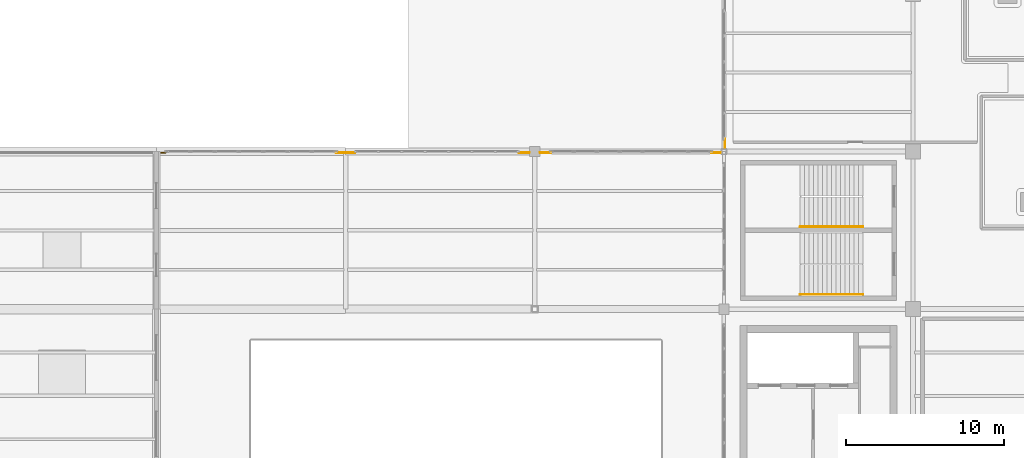
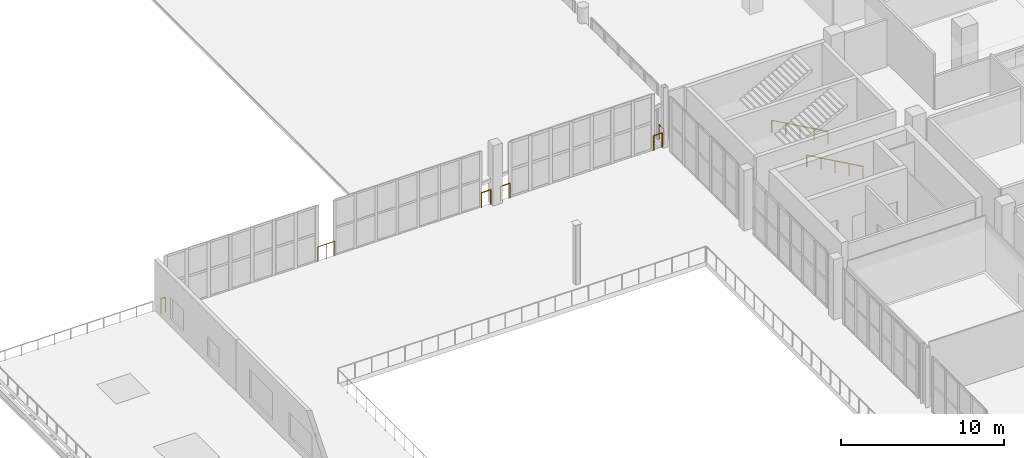
# One storey, part 76 of 90: 8 railings.
"""IFC4 building model written with IfcOpenShell, lengths in metres."""

import ifcopenshell
import ifcopenshell.guid

model = None  # the IFC model being written
_history = None  # IfcOwnerHistory: only IFC2X3 demands one
_inside = {}  # id of a spatial element -> (the spatial element, [elements in it])
_under = {}  # id of a project, library or spatial element -> (it, [spatial elements below it])
_declared = {}  # id of a project -> (the project, [libraries it declares])
_typed = {}  # id of a type object -> (the type object, [elements of that type])
_made_of = {}  # id of a material, layer set ... -> (it, [elements and type objects made of it])


def new_model(schema):
    """Start an empty IFC model of exactly this schema.

    Asked for "IFC4X3", IfcOpenShell would pick the latest addendum, in which some entities
    have other attributes; the version numbers below select the first issue.
    IFC2X3 requires an IfcOwnerHistory on every rooted entity: one is made here for all.
    """
    global model, _history
    if schema == "IFC4X3":
        model = ifcopenshell.file(schema_version=(4, 3, 0, 0))
    else:
        model = ifcopenshell.file(schema=schema)
    _inside.clear()
    _under.clear()
    _declared.clear()
    _typed.clear()
    _made_of.clear()
    _history = None
    if model.schema == "IFC2X3":
        org = make("IfcOrganization", Name="unknown")
        user = make(
            "IfcPersonAndOrganization",
            ThePerson=make("IfcPerson", FamilyName="unknown"),
            TheOrganization=org,
        )
        app = make(
            "IfcApplication",
            ApplicationDeveloper=org,
            Version="unknown",
            ApplicationFullName="unknown",
            ApplicationIdentifier="unknown",
        )
        _history = make(
            "IfcOwnerHistory",
            OwningUser=user,
            OwningApplication=app,
            ChangeAction="ADDED",
            CreationDate=0,
        )
    return model


def make(cls, **values):
    """One entity of the class cls with the attributes given. An attribute that is None is left unset."""
    return model.create_entity(
        cls, **{name: value for name, value in values.items() if value is not None}
    )


def rooted(cls, **values):
    """An entity with a GlobalId (a new one), such as an element, a storey or a relation."""
    return make(cls, GlobalId=ifcopenshell.guid.new(), OwnerHistory=_history, **values)


def si_unit(unit_type, name, prefix=None):
    """IfcSIUnit, for example si_unit("LENGTHUNIT", "METRE", prefix="MILLI")."""
    return make("IfcSIUnit", UnitType=unit_type, Prefix=prefix, Name=name)


def assignment(units):
    """IfcUnitAssignment: the units of a project."""
    return None if units is None else make("IfcUnitAssignment", Units=units)


def point(xyz):
    """IfcCartesianPoint."""
    return None if xyz is None else make("IfcCartesianPoint", Coordinates=xyz)


def direction(xyz):
    """IfcDirection."""
    return None if xyz is None else make("IfcDirection", DirectionRatios=xyz)


def frame(location, z_axis=None, x_axis=None):
    """IfcAxis2Placement3D, a coordinate frame: its origin and axes. An axis left out is left unset."""
    return make(
        "IfcAxis2Placement3D",
        Location=point(location),
        Axis=direction(z_axis),
        RefDirection=direction(x_axis),
    )


def frame_2d(location, x_axis=None):
    """IfcAxis2Placement2D, a coordinate frame in the plane: its origin and x axis."""
    return make(
        "IfcAxis2Placement2D", Location=point(location), RefDirection=direction(x_axis)
    )


def origin():
    """The frame at (0, 0, 0) with its axes left unset."""
    return frame((0.0, 0.0, 0.0))


def origin_2d():
    """The frame at (0, 0) in the plane with its x axis left unset."""
    return frame_2d((0.0, 0.0))


def place(relative_to, where):
    """IfcLocalPlacement: puts the frame where relative to a parent placement (None: the world)."""
    return make(
        "IfcLocalPlacement", PlacementRelTo=relative_to, RelativePlacement=where
    )


def context(
    kind, dimensions, precision=None, world=None, true_north=None, identifier=None
):
    """IfcGeometricRepresentationContext, for example the 3D "Model" context."""
    return make(
        "IfcGeometricRepresentationContext",
        ContextIdentifier=identifier,
        ContextType=kind,
        CoordinateSpaceDimension=dimensions,
        Precision=precision,
        WorldCoordinateSystem=world,
        TrueNorth=true_north,
    )


def subcontext(parent, identifier, kind, view, scale=None):
    """IfcGeometricRepresentationSubContext, for example "Body" below "Model"."""
    return make(
        "IfcGeometricRepresentationSubContext",
        ContextIdentifier=identifier,
        ContextType=kind,
        ParentContext=parent,
        TargetScale=scale,
        TargetView=view,
    )


def project(units=None, contexts=None):
    """IfcProject with its units and contexts."""
    return rooted(
        "IfcProject",
        Name="project",
        RepresentationContexts=contexts,
        UnitsInContext=assignment(units),
    )


def spatial(cls, under=None, at=None, **own):
    """A site, building, storey or space (cls), placed at a placement, below another one or the project."""
    s = rooted(cls, ObjectPlacement=at, **own)
    if under is not None:
        _under.setdefault(under.id(), (under, []))[1].append(s)
    return s


def profile(cls, at=None, kind="AREA", **sizes):
    """A parametric profile (cls). Its sizes go by their IFC names, for example OverallWidth=200.0."""
    return make(cls, ProfileType=kind, Position=at, **sizes)


def circle(**sizes):
    """IfcCircleProfileDef."""
    return profile("IfcCircleProfileDef", **sizes)


def extrude(swept, where, along, depth):
    """IfcExtrudedAreaSolid: the profile swept, set in the frame where, extruded along a direction by depth."""
    return make(
        "IfcExtrudedAreaSolid",
        SweptArea=swept,
        Position=where,
        ExtrudedDirection=direction(along),
        Depth=depth,
    )


def shape(context_of_items, identifier, shape_type, items):
    """IfcShapeRepresentation: the items that make up one representation, for example the "Body"."""
    return make(
        "IfcShapeRepresentation",
        ContextOfItems=context_of_items,
        RepresentationIdentifier=identifier,
        RepresentationType=shape_type,
        Items=items,
    )


def material(Name=None, Category=None):
    """IfcMaterial."""
    return make("IfcMaterial", Name=Name, Category=Category)


def made_of(thing, what):
    """Note that an element or type object is made of a material, layer set ...; save() writes the relation."""
    if what is not None:
        _made_of.setdefault(what.id(), (what, []))[1].append(thing)
    return thing


def type_object(cls, material=None, **own):
    """A type object (cls), such as IfcWallType, which elements share."""
    return made_of(rooted(cls, **own), material)


def element(
    cls,
    number,
    at=None,
    inside=None,
    cuts=None,
    type_object=None,
    material=None,
    context=None,
    identifier="Body",
    shape_type=None,
    held_by="IfcProductDefinitionShape",
    body=None,
    shapes=None,
    **own,
):
    """One element of the class cls, such as IfcWall. Its Tag is "e" and its number.

    at: its placement. inside: the storey or other place that contains it. cuts: it is an
    opening in that element (IfcRelVoidsElement). A single representation is given by context,
    identifier, shape_type and body (its items); several are given by shapes. held_by: the class
    of the entity that holds the representations. save() writes the other relations.
    """
    e = rooted(cls, Tag="e%d" % number, ObjectPlacement=at, **own)
    if body is not None:
        shapes = [shape(context, identifier, shape_type, body)]
    if shapes is not None:
        e.Representation = make(held_by, Representations=shapes)
    if inside is not None:
        _inside.setdefault(inside.id(), (inside, []))[1].append(e)
    if cuts is not None:
        rooted(
            "IfcRelVoidsElement", RelatingBuildingElement=cuts, RelatedOpeningElement=e
        )
    if type_object is not None:
        _typed.setdefault(type_object.id(), (type_object, []))[1].append(e)
    return made_of(e, material)


def aggregate(whole, parts):
    """IfcRelAggregates: a whole, such as a stair, and the parts it consists of."""
    return rooted("IfcRelAggregates", RelatingObject=whole, RelatedObjects=parts)


def save(model, path):
    """Write the relations noted so far, then the file.

    IfcRelAggregates (storeys below a building ...), IfcRelContainedInSpatialStructure (elements
    in a storey), IfcRelDefinesByType, IfcRelAssociatesMaterial and IfcRelDeclares: one each for
    every whole, place, type object, material and project.
    """
    for whole, parts in _under.values():
        aggregate(whole, parts)
    for where, things in _inside.values():
        rooted(
            "IfcRelContainedInSpatialStructure",
            RelatedElements=things,
            RelatingStructure=where,
        )
    for kind, things in _typed.values():
        rooted("IfcRelDefinesByType", RelatedObjects=things, RelatingType=kind)
    for what, things in _made_of.values():
        rooted("IfcRelAssociatesMaterial", RelatedObjects=things, RelatingMaterial=what)
    for by, libraries in _declared.values():
        rooted("IfcRelDeclares", RelatingContext=by, RelatedDefinitions=libraries)
    model.write(path)


model = new_model("IFC4")

# Units and contexts
model_context = context("Model", 3, precision=1e-05, world=origin(), true_north=direction((0.0, 1.0)))
body_context = subcontext(model_context, "Body", "Model", "MODEL_VIEW")
ifc_project = project(units=[si_unit("LENGTHUNIT", "METRE"), si_unit("AREAUNIT", "SQUARE_METRE"), si_unit("VOLUMEUNIT", "CUBIC_METRE"), si_unit("PLANEANGLEUNIT", "RADIAN"), si_unit("MASSUNIT", "GRAM", prefix="KILO")], contexts=[model_context])

# Site, building, storey
site_placement = place(None, origin())
site = spatial("IfcSite", under=ifc_project, at=site_placement, CompositionType="ELEMENT")
building_placement = place(site_placement, origin())
building = spatial("IfcBuilding", under=site, at=building_placement, Name="Brinegate Civic Arena", CompositionType="ELEMENT")
storey_placement = place(building_placement, frame((0.0, 0.0, 14.699951171875)))
storey = spatial("IfcBuildingStorey", under=building, at=storey_placement, Name="L03", CompositionType="ELEMENT", Elevation=14.699951171875)

# Railings
ifc_material = material(Name="Architectural stainless steel balustrade", Category="steel")
railing_type_1 = type_object("IfcRailingType", Name="RAIL-STAIR-HANDRAIL-900", PredefinedType="HANDRAIL", material=ifc_material)
for number, where, name in (
    (1, (52.840087890625, 42.925048828125, 2.25), "Stair Pitch Handrail ST-08A L03"),
    (2, (52.840087890625, 47.22509765625, 2.25), "Stair Pitch Handrail ST-08B L03"),
):
    element("IfcRailing", number, at=place(storey_placement, frame(where)), inside=storey, type_object=railing_type_1, Name=name, PredefinedType="HANDRAIL", context=body_context, shape_type="SweptSolid", body=[
        extrude(circle(Radius=0.02392578125, at=origin_2d()), frame((0.001220703125, 0.0, 0.875), z_axis=(0.871049806155, 0.0, -0.491194701923), x_axis=(0.0, 1.0, 0.0)), (0.0, 0.0, 1.0), 4.57763671875),
        extrude(circle(Radius=0.02099609375, at=origin_2d()), origin(), (0.0, 0.0, 1.0), 0.849853515625),
        extrude(circle(Radius=0.02099609375, at=origin_2d()), frame((0.99755859375, 0.0, -0.5625)), (0.0, 0.0, 1.0), 0.849853515625),
        extrude(circle(Radius=0.02099609375, at=origin_2d()), frame((1.9951171875, 0.0, -1.125)), (0.0, 0.0, 1.0), 0.849853515625),
        extrude(circle(Radius=0.02099609375, at=origin_2d()), frame((2.992431640625, 0.0, -1.6875)), (0.0, 0.0, 1.0), 0.849853515625),
        extrude(circle(Radius=0.02099609375, at=origin_2d()), frame((3.989990234375, 0.0, -2.25)), (0.0, 0.0, 1.0), 0.849853515625),
    ])
railing_type_2 = type_object("IfcRailingType", Name="RAIL-VOID-BALUSTRADE-1120", PredefinedType="BALUSTRADE", material=ifc_material)
railing_1_placement = place(storey_placement, frame((12.280029296875, 51.929931640625, 0.0)))
element("IfcRailing", 3, at=railing_1_placement, inside=storey, type_object=railing_type_2, Name="Deck Edge Balustrade L03-213", PredefinedType="BALUSTRADE", context=body_context, shape_type="SweptSolid", body=[
    extrude(circle(Radius=0.02392578125, at=origin_2d()), frame((0.00146484375, 0.0, 1.09619140625), z_axis=(1.0, 0.0, 0.0), x_axis=(0.0, 1.0, 0.0)), (0.0, 0.0, 1.0), 0.317138671875),
    extrude(circle(Radius=0.02099609375, at=origin_2d()), origin(), (0.0, 0.0, 1.0), 1.070068359375),
    extrude(circle(Radius=0.02099609375, at=origin_2d()), frame((0.320068359375, 0.0, 0.0)), (0.0, 0.0, 1.0), 1.070068359375),
])
railing_2_placement = place(storey_placement, frame((23.39990234375, 51.929931640625, 0.0)))
element("IfcRailing", 4, at=railing_2_placement, inside=storey, type_object=railing_type_2, Name="Deck Edge Balustrade L03-214", PredefinedType="BALUSTRADE", context=body_context, shape_type="SweptSolid", body=[
    extrude(circle(Radius=0.02392578125, at=origin_2d()), frame((0.00146484375, 0.0, 1.09619140625), z_axis=(1.0, 0.0, 0.0), x_axis=(0.0, 1.0, 0.0)), (0.0, 0.0, 1.0), 1.197265625),
    extrude(circle(Radius=0.02099609375, at=origin_2d()), origin(), (0.0, 0.0, 1.0), 1.070068359375),
    extrude(circle(Radius=0.02099609375, at=origin_2d()), frame((0.60009765625, 0.0, 0.0)), (0.0, 0.0, 1.0), 1.070068359375),
    extrude(circle(Radius=0.02099609375, at=origin_2d()), frame((1.2001953125, 0.0, 0.0)), (0.0, 0.0, 1.0), 1.070068359375),
])
for number, where, name in (
    (5, (34.989990234375, 51.929931640625, 0.0), "Deck Edge Balustrade L03-215"),
    (6, (36.344970703125, 51.929931640625, 0.0), "Deck Edge Balustrade L03-216"),
):
    element("IfcRailing", number, at=place(storey_placement, frame(where)), inside=storey, type_object=railing_type_2, Name=name, PredefinedType="BALUSTRADE", context=body_context, shape_type="SweptSolid", body=[
        extrude(circle(Radius=0.02392578125, at=origin_2d()), frame((0.00146484375, 0.0, 1.09619140625), z_axis=(1.0, 0.0, 0.0), x_axis=(0.0, 1.0, 0.0)), (0.0, 0.0, 1.0), 0.662109375),
        extrude(circle(Radius=0.02099609375, at=origin_2d()), origin(), (0.0, 0.0, 1.0), 1.070068359375),
        extrude(circle(Radius=0.02099609375, at=origin_2d()), frame((0.6650390625, 0.0, 0.0)), (0.0, 0.0, 1.0), 1.070068359375),
    ])
railing_3_placement = place(storey_placement, frame((47.202880859375, 51.929931640625, 0.0)))
element("IfcRailing", 7, at=railing_3_placement, inside=storey, type_object=railing_type_2, Name="Deck Edge Balustrade L03-217", PredefinedType="BALUSTRADE", context=body_context, shape_type="SweptSolid", body=[
    extrude(circle(Radius=0.02392578125, at=origin_2d()), frame((0.00146484375, 0.0, 1.09619140625), z_axis=(1.0, 0.0, 0.0), x_axis=(0.0, 1.0, 0.0)), (0.0, 0.0, 1.0), 0.59912109375),
    extrude(circle(Radius=0.02099609375, at=origin_2d()), origin(), (0.0, 0.0, 1.0), 1.070068359375),
    extrude(circle(Radius=0.02099609375, at=origin_2d()), frame((0.60205078125, 0.0, 0.0)), (0.0, 0.0, 1.0), 1.070068359375),
])
railing_4_placement = place(storey_placement, frame((48.070068359375, 52.195068359375, 0.0)))
element("IfcRailing", 8, at=railing_4_placement, inside=storey, type_object=railing_type_2, Name="Deck Edge Balustrade L03-218", PredefinedType="BALUSTRADE", context=body_context, shape_type="SweptSolid", body=[
    extrude(circle(Radius=0.02392578125, at=origin_2d()), frame((0.0, 0.00146484375, 1.09619140625), z_axis=(0.0, 1.0, 0.0), x_axis=(-1.0, 0.0, 0.0)), (0.0, 0.0, 1.0), 0.59912109375),
    extrude(circle(Radius=0.02099609375, at=origin_2d()), origin(), (0.0, 0.0, 1.0), 1.070068359375),
    extrude(circle(Radius=0.02099609375, at=origin_2d()), frame((0.0, 0.60205078125, 0.0)), (0.0, 0.0, 1.0), 1.070068359375),
])

save(model, "model.ifc")
